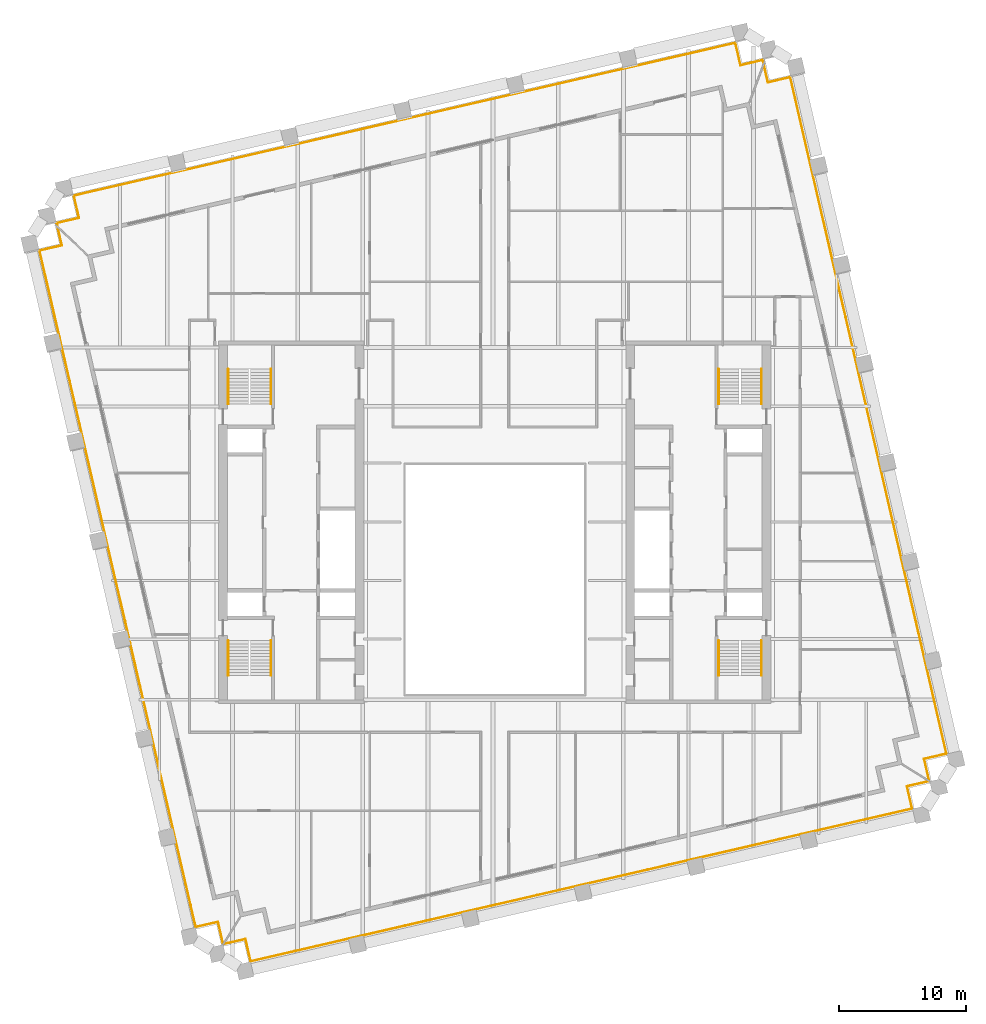
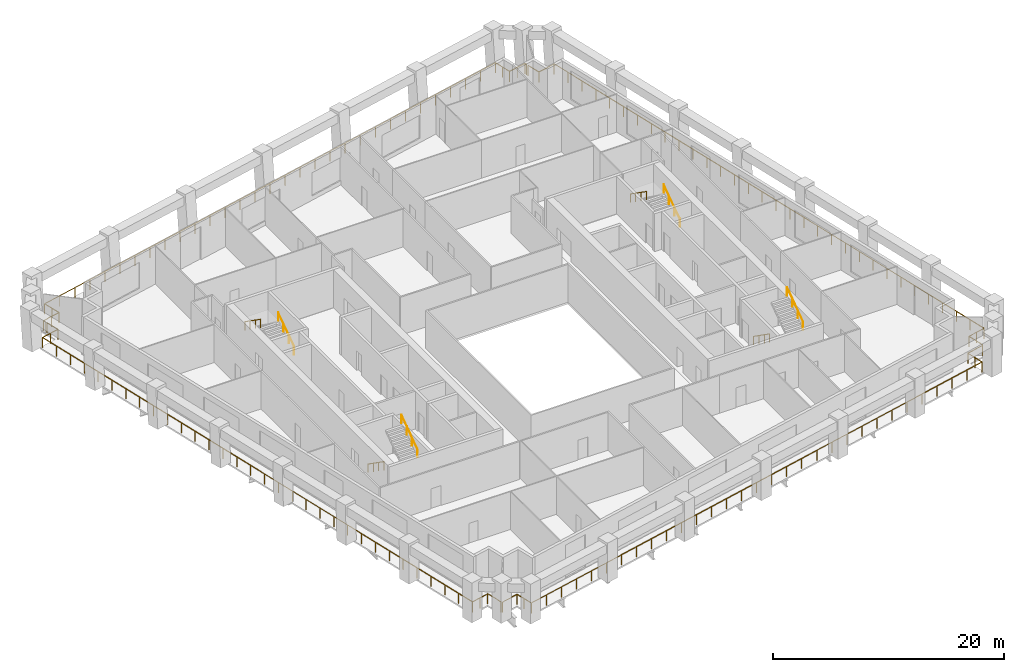
# One storey, part 10 of 10: 12 railings.
"""IFC4 building model written with IfcOpenShell, lengths in metres."""

from ifc_helpers import new_model, si_unit, direction, frame, origin, origin_2d, place, context, subcontext, project, spatial, circle, extrude, material, type_object, element, save


model = new_model("IFC4")

# Units and contexts
model_context = context("Model", 3, precision=1e-05, world=origin(), true_north=direction((0.0, 1.0)))
body_context = subcontext(model_context, "Body", "Model", "MODEL_VIEW")
ifc_project = project(units=[si_unit("LENGTHUNIT", "METRE"), si_unit("AREAUNIT", "SQUARE_METRE"), si_unit("VOLUMEUNIT", "CUBIC_METRE"), si_unit("PLANEANGLEUNIT", "RADIAN"), si_unit("MASSUNIT", "GRAM", prefix="KILO")], contexts=[model_context])

# Site, building, storey
site_placement = place(None, origin())
site = spatial("IfcSite", under=ifc_project, at=site_placement, CompositionType="ELEMENT")
building_placement = place(site_placement, origin())
building = spatial("IfcBuilding", under=site, at=building_placement, Name="Ogive Exchange Tower", CompositionType="ELEMENT")
storey_placement = place(building_placement, frame((0.0, 0.0, 180.0)))
storey = spatial("IfcBuildingStorey", under=building, at=storey_placement, Name="L39", CompositionType="ELEMENT", Elevation=180.0)

# Railings
ifc_material_1 = material(Name="Stainless steel 316", Category="steel")
railing_type_1 = type_object("IfcRailingType", Name="Guard 1100 stainless steel and glass", PredefinedType="GUARDRAIL", material=ifc_material_1)
railing_1_placement = place(storey_placement, frame((34.067138671875, -8.864013671875, -0.050048828125)))
element("IfcRailing", 1, at=railing_1_placement, inside=storey, type_object=railing_type_1, Name="Loggia guard 1", PredefinedType="GUARDRAIL", context=body_context, shape_type="SweptSolid", body=[
    extrude(circle(Radius=0.02392578125, at=origin_2d()), frame((0.0, 0.0, 1.076171875), z_axis=(-0.974364690374, -0.224974332206, 0.0), x_axis=(0.224974332206, -0.974364690374, 0.0)), (0.0, 0.0, 1.0), 1.7080078125),
    extrude(circle(Radius=0.02392578125, at=origin_2d()), frame((-1.664306640625, -0.38427734375, 1.076171875), z_axis=(0.224879318197, -0.974386623598, 0.0), x_axis=(0.974386623598, 0.224879318197, 0.0)), (0.0, 0.0, 1.0), 1.800048828125),
    extrude(circle(Radius=0.02392578125, at=origin_2d()), frame((-1.259521484375, -2.13818359375, 1.076171875), z_axis=(-0.97436998541, -0.224951398156, 0.0), x_axis=(0.224951398156, -0.97436998541, 0.0)), (0.0, 0.0, 1.0), 53.360107421875),
    extrude(circle(Radius=0.02392578125, at=origin_2d()), frame((-53.251953125, -14.1416015625, 1.076171875), z_axis=(-0.224879318197, 0.974386623598, 0.0), x_axis=(-0.974386623598, -0.224879318197, 0.0)), (0.0, 0.0, 1.0), 1.800048828125),
    extrude(circle(Radius=0.02392578125, at=origin_2d()), frame((-53.65673828125, -12.3876953125, 1.076171875), z_axis=(-0.974364690374, -0.224974332206, 0.0), x_axis=(0.224974332206, -0.974364690374, 0.0)), (0.0, 0.0, 1.0), 1.7080078125),
    extrude(circle(Radius=0.02099609375, at=origin_2d()), origin(), (0.0, 0.0, 1.0), 1.052001953125),
    extrude(circle(Radius=0.02099609375, at=origin_2d()), frame((-1.664306640625, -0.38427734375, 0.0)), (0.0, 0.0, 1.0), 1.052001953125),
    extrude(circle(Radius=0.02099609375, at=origin_2d()), frame((-1.4619140625, -1.26123046875, 0.0)), (0.0, 0.0, 1.0), 1.052001953125),
    extrude(circle(Radius=0.02099609375, at=origin_2d()), frame((-1.259521484375, -2.13818359375, 0.0)), (0.0, 0.0, 1.0), 1.052001953125),
    extrude(circle(Radius=0.02099609375, at=origin_2d()), frame((-2.99267578125, -2.538330078125, 0.0)), (0.0, 0.0, 1.0), 1.052001953125),
    extrude(circle(Radius=0.02099609375, at=origin_2d()), frame((-4.7255859375, -2.9384765625, 0.0)), (0.0, 0.0, 1.0), 1.052001953125),
    extrude(circle(Radius=0.02099609375, at=origin_2d()), frame((-6.458740234375, -3.338623046875, 0.0)), (0.0, 0.0, 1.0), 1.052001953125),
    extrude(circle(Radius=0.02099609375, at=origin_2d()), frame((-8.19189453125, -3.738525390625, 0.0)), (0.0, 0.0, 1.0), 1.052001953125),
    extrude(circle(Radius=0.02099609375, at=origin_2d()), frame((-9.9248046875, -4.138671875, 0.0)), (0.0, 0.0, 1.0), 1.052001953125),
    extrude(circle(Radius=0.02099609375, at=origin_2d()), frame((-11.657958984375, -4.538818359375, 0.0)), (0.0, 0.0, 1.0), 1.052001953125),
    extrude(circle(Radius=0.02099609375, at=origin_2d()), frame((-13.39111328125, -4.93896484375, 0.0)), (0.0, 0.0, 1.0), 1.052001953125),
    extrude(circle(Radius=0.02099609375, at=origin_2d()), frame((-15.124267578125, -5.339111328125, 0.0)), (0.0, 0.0, 1.0), 1.052001953125),
    extrude(circle(Radius=0.02099609375, at=origin_2d()), frame((-16.857177734375, -5.7392578125, 0.0)), (0.0, 0.0, 1.0), 1.052001953125),
    extrude(circle(Radius=0.02099609375, at=origin_2d()), frame((-18.59033203125, -6.139404296875, 0.0)), (0.0, 0.0, 1.0), 1.052001953125),
    extrude(circle(Radius=0.02099609375, at=origin_2d()), frame((-20.323486328125, -6.53955078125, 0.0)), (0.0, 0.0, 1.0), 1.052001953125),
    extrude(circle(Radius=0.02099609375, at=origin_2d()), frame((-22.056396484375, -6.939453125, 0.0)), (0.0, 0.0, 1.0), 1.052001953125),
    extrude(circle(Radius=0.02099609375, at=origin_2d()), frame((-23.78955078125, -7.339599609375, 0.0)), (0.0, 0.0, 1.0), 1.052001953125),
    extrude(circle(Radius=0.02099609375, at=origin_2d()), frame((-25.522705078125, -7.73974609375, 0.0)), (0.0, 0.0, 1.0), 1.052001953125),
    extrude(circle(Radius=0.02099609375, at=origin_2d()), frame((-27.255859375, -8.139892578125, 0.0)), (0.0, 0.0, 1.0), 1.052001953125),
    extrude(circle(Radius=0.02099609375, at=origin_2d()), frame((-28.98876953125, -8.5400390625, 0.0)), (0.0, 0.0, 1.0), 1.052001953125),
    extrude(circle(Radius=0.02099609375, at=origin_2d()), frame((-30.721923828125, -8.940185546875, 0.0)), (0.0, 0.0, 1.0), 1.052001953125),
    extrude(circle(Radius=0.02099609375, at=origin_2d()), frame((-32.455078125, -9.34033203125, 0.0)), (0.0, 0.0, 1.0), 1.052001953125),
    extrude(circle(Radius=0.02099609375, at=origin_2d()), frame((-34.18798828125, -9.740234375, 0.0)), (0.0, 0.0, 1.0), 1.052001953125),
    extrude(circle(Radius=0.02099609375, at=origin_2d()), frame((-35.921142578125, -10.140380859375, 0.0)), (0.0, 0.0, 1.0), 1.052001953125),
    extrude(circle(Radius=0.02099609375, at=origin_2d()), frame((-37.654296875, -10.54052734375, 0.0)), (0.0, 0.0, 1.0), 1.052001953125),
    extrude(circle(Radius=0.02099609375, at=origin_2d()), frame((-39.38720703125, -10.940673828125, 0.0)), (0.0, 0.0, 1.0), 1.052001953125),
    extrude(circle(Radius=0.02099609375, at=origin_2d()), frame((-41.120361328125, -11.3408203125, 0.0)), (0.0, 0.0, 1.0), 1.052001953125),
    extrude(circle(Radius=0.02099609375, at=origin_2d()), frame((-42.853515625, -11.740966796875, 0.0)), (0.0, 0.0, 1.0), 1.052001953125),
    extrude(circle(Radius=0.02099609375, at=origin_2d()), frame((-44.58642578125, -12.14111328125, 0.0)), (0.0, 0.0, 1.0), 1.052001953125),
    extrude(circle(Radius=0.02099609375, at=origin_2d()), frame((-46.319580078125, -12.541259765625, 0.0)), (0.0, 0.0, 1.0), 1.052001953125),
    extrude(circle(Radius=0.02099609375, at=origin_2d()), frame((-48.052734375, -12.941162109375, 0.0)), (0.0, 0.0, 1.0), 1.052001953125),
    extrude(circle(Radius=0.02099609375, at=origin_2d()), frame((-49.785888671875, -13.34130859375, 0.0)), (0.0, 0.0, 1.0), 1.052001953125),
    extrude(circle(Radius=0.02099609375, at=origin_2d()), frame((-51.518798828125, -13.741455078125, 0.0)), (0.0, 0.0, 1.0), 1.052001953125),
    extrude(circle(Radius=0.02099609375, at=origin_2d()), frame((-53.251953125, -14.1416015625, 0.0)), (0.0, 0.0, 1.0), 1.052001953125),
    extrude(circle(Radius=0.02099609375, at=origin_2d()), frame((-53.454345703125, -13.2646484375, 0.0)), (0.0, 0.0, 1.0), 1.052001953125),
    extrude(circle(Radius=0.02099609375, at=origin_2d()), frame((-53.65673828125, -12.3876953125, 0.0)), (0.0, 0.0, 1.0), 1.052001953125),
    extrude(circle(Radius=0.02099609375, at=origin_2d()), frame((-55.321044921875, -12.77197265625, 0.0)), (0.0, 0.0, 1.0), 1.052001953125),
])
railing_2_placement = place(storey_placement, frame((-21.364013671875, -21.567138671875, -0.050048828125)))
element("IfcRailing", 2, at=railing_2_placement, inside=storey, type_object=railing_type_1, Name="Loggia guard 2", PredefinedType="GUARDRAIL", context=body_context, shape_type="SweptSolid", body=[
    extrude(circle(Radius=0.02392578125, at=origin_2d()), frame((0.0, 0.0, 1.076171875), z_axis=(-0.224974332206, 0.974364690374, 0.0), x_axis=(-0.974364690374, -0.224974332206, 0.0)), (0.0, 0.0, 1.0), 1.7080078125),
    extrude(circle(Radius=0.02392578125, at=origin_2d()), frame((-0.38427734375, 1.664306640625, 1.076171875), z_axis=(-0.974386623598, -0.224879318197, 0.0), x_axis=(0.224879318197, -0.974386623598, 0.0)), (0.0, 0.0, 1.0), 1.800048828125),
    extrude(circle(Radius=0.02392578125, at=origin_2d()), frame((-2.13818359375, 1.259521484375, 1.076171875), z_axis=(-0.224951974586, 0.97436985233, 0.0), x_axis=(-0.97436985233, -0.224951974586, 0.0)), (0.0, 0.0, 1.0), 54.570068359375),
    extrude(circle(Radius=0.02392578125, at=origin_2d()), frame((-14.413818359375, 54.430908203125, 1.076171875), z_axis=(0.974356896201, 0.225008086135, 0.0), x_axis=(-0.225008086135, 0.974356896201, 0.0)), (0.0, 0.0, 1.0), 1.800048828125),
    extrude(circle(Radius=0.02392578125, at=origin_2d()), frame((-12.659912109375, 54.8359375, 1.076171875), z_axis=(-0.224924589703, 0.974376174251, 0.0), x_axis=(-0.974376174251, -0.224924589703, 0.0)), (0.0, 0.0, 1.0), 1.369873046875),
    extrude(circle(Radius=0.02099609375, at=origin_2d()), origin(), (0.0, 0.0, 1.0), 1.052001953125),
    extrude(circle(Radius=0.02099609375, at=origin_2d()), frame((-0.38427734375, 1.664306640625, 0.0)), (0.0, 0.0, 1.0), 1.052001953125),
    extrude(circle(Radius=0.02099609375, at=origin_2d()), frame((-1.26123046875, 1.4619140625, 0.0)), (0.0, 0.0, 1.0), 1.052001953125),
    extrude(circle(Radius=0.02099609375, at=origin_2d()), frame((-2.13818359375, 1.259521484375, 0.0)), (0.0, 0.0, 1.0), 1.052001953125),
    extrude(circle(Radius=0.02099609375, at=origin_2d()), frame((-2.5341796875, 2.974609375, 0.0)), (0.0, 0.0, 1.0), 1.052001953125),
    extrude(circle(Radius=0.02099609375, at=origin_2d()), frame((-2.93017578125, 4.68994140625, 0.0)), (0.0, 0.0, 1.0), 1.052001953125),
    extrude(circle(Radius=0.02099609375, at=origin_2d()), frame((-3.326171875, 6.405029296875, 0.0)), (0.0, 0.0, 1.0), 1.052001953125),
    extrude(circle(Radius=0.02099609375, at=origin_2d()), frame((-3.72216796875, 8.120361328125, 0.0)), (0.0, 0.0, 1.0), 1.052001953125),
    extrude(circle(Radius=0.02099609375, at=origin_2d()), frame((-4.1181640625, 9.83544921875, 0.0)), (0.0, 0.0, 1.0), 1.052001953125),
    extrude(circle(Radius=0.02099609375, at=origin_2d()), frame((-4.51416015625, 11.55078125, 0.0)), (0.0, 0.0, 1.0), 1.052001953125),
    extrude(circle(Radius=0.02099609375, at=origin_2d()), frame((-4.91015625, 13.265869140625, 0.0)), (0.0, 0.0, 1.0), 1.052001953125),
    extrude(circle(Radius=0.02099609375, at=origin_2d()), frame((-5.30615234375, 14.981201171875, 0.0)), (0.0, 0.0, 1.0), 1.052001953125),
    extrude(circle(Radius=0.02099609375, at=origin_2d()), frame((-5.7021484375, 16.6962890625, 0.0)), (0.0, 0.0, 1.0), 1.052001953125),
    extrude(circle(Radius=0.02099609375, at=origin_2d()), frame((-6.09814453125, 18.41162109375, 0.0)), (0.0, 0.0, 1.0), 1.052001953125),
    extrude(circle(Radius=0.02099609375, at=origin_2d()), frame((-6.494140625, 20.126708984375, 0.0)), (0.0, 0.0, 1.0), 1.052001953125),
    extrude(circle(Radius=0.02099609375, at=origin_2d()), frame((-6.89013671875, 21.842041015625, 0.0)), (0.0, 0.0, 1.0), 1.052001953125),
    extrude(circle(Radius=0.02099609375, at=origin_2d()), frame((-7.2861328125, 23.55712890625, 0.0)), (0.0, 0.0, 1.0), 1.052001953125),
    extrude(circle(Radius=0.02099609375, at=origin_2d()), frame((-7.68212890625, 25.2724609375, 0.0)), (0.0, 0.0, 1.0), 1.052001953125),
    extrude(circle(Radius=0.02099609375, at=origin_2d()), frame((-8.078125, 26.987548828125, 0.0)), (0.0, 0.0, 1.0), 1.052001953125),
    extrude(circle(Radius=0.02099609375, at=origin_2d()), frame((-8.473876953125, 28.702880859375, 0.0)), (0.0, 0.0, 1.0), 1.052001953125),
    extrude(circle(Radius=0.02099609375, at=origin_2d()), frame((-8.869873046875, 30.41796875, 0.0)), (0.0, 0.0, 1.0), 1.052001953125),
    extrude(circle(Radius=0.02099609375, at=origin_2d()), frame((-9.265869140625, 32.13330078125, 0.0)), (0.0, 0.0, 1.0), 1.052001953125),
    extrude(circle(Radius=0.02099609375, at=origin_2d()), frame((-9.661865234375, 33.848388671875, 0.0)), (0.0, 0.0, 1.0), 1.052001953125),
    extrude(circle(Radius=0.02099609375, at=origin_2d()), frame((-10.057861328125, 35.563720703125, 0.0)), (0.0, 0.0, 1.0), 1.052001953125),
    extrude(circle(Radius=0.02099609375, at=origin_2d()), frame((-10.453857421875, 37.27880859375, 0.0)), (0.0, 0.0, 1.0), 1.052001953125),
    extrude(circle(Radius=0.02099609375, at=origin_2d()), frame((-10.849853515625, 38.994140625, 0.0)), (0.0, 0.0, 1.0), 1.052001953125),
    extrude(circle(Radius=0.02099609375, at=origin_2d()), frame((-11.245849609375, 40.709228515625, 0.0)), (0.0, 0.0, 1.0), 1.052001953125),
    extrude(circle(Radius=0.02099609375, at=origin_2d()), frame((-11.641845703125, 42.424560546875, 0.0)), (0.0, 0.0, 1.0), 1.052001953125),
    extrude(circle(Radius=0.02099609375, at=origin_2d()), frame((-12.037841796875, 44.1396484375, 0.0)), (0.0, 0.0, 1.0), 1.052001953125),
    extrude(circle(Radius=0.02099609375, at=origin_2d()), frame((-12.433837890625, 45.85498046875, 0.0)), (0.0, 0.0, 1.0), 1.052001953125),
    extrude(circle(Radius=0.02099609375, at=origin_2d()), frame((-12.829833984375, 47.570068359375, 0.0)), (0.0, 0.0, 1.0), 1.052001953125),
    extrude(circle(Radius=0.02099609375, at=origin_2d()), frame((-13.225830078125, 49.285400390625, 0.0)), (0.0, 0.0, 1.0), 1.052001953125),
    extrude(circle(Radius=0.02099609375, at=origin_2d()), frame((-13.621826171875, 51.00048828125, 0.0)), (0.0, 0.0, 1.0), 1.052001953125),
    extrude(circle(Radius=0.02099609375, at=origin_2d()), frame((-14.017822265625, 52.7158203125, 0.0)), (0.0, 0.0, 1.0), 1.052001953125),
    extrude(circle(Radius=0.02099609375, at=origin_2d()), frame((-14.413818359375, 54.430908203125, 0.0)), (0.0, 0.0, 1.0), 1.052001953125),
    extrude(circle(Radius=0.02099609375, at=origin_2d()), frame((-13.536865234375, 54.63330078125, 0.0)), (0.0, 0.0, 1.0), 1.052001953125),
    extrude(circle(Radius=0.02099609375, at=origin_2d()), frame((-12.659912109375, 54.8359375, 0.0)), (0.0, 0.0, 1.0), 1.052001953125),
    extrude(circle(Radius=0.02099609375, at=origin_2d()), frame((-12.968017578125, 56.170654296875, 0.0)), (0.0, 0.0, 1.0), 1.052001953125),
])
railing_3_placement = place(storey_placement, frame((-34.385009765625, 34.832275390625, -0.050048828125)))
element("IfcRailing", 3, at=railing_3_placement, inside=storey, type_object=railing_type_1, Name="Loggia guard 3", PredefinedType="GUARDRAIL", context=body_context, shape_type="SweptSolid", body=[
    extrude(circle(Radius=0.02392578125, at=origin_2d()), frame((0.0, 0.0, 1.076171875), z_axis=(-0.225133536755, 0.974327917402, 0.0), x_axis=(-0.974327917402, -0.225133536755, 0.0)), (0.0, 0.0, 1.0), 0.1953125),
    extrude(circle(Radius=0.02392578125, at=origin_2d()), frame((-0.0439453125, 0.190185546875, 1.076171875), z_axis=(0.974356896201, 0.225008086135, 0.0), x_axis=(-0.225008086135, 0.974356896201, 0.0)), (0.0, 0.0, 1.0), 1.800048828125),
    extrude(circle(Radius=0.02392578125, at=origin_2d()), frame((1.7099609375, 0.59521484375, 1.076171875), z_axis=(-0.224879318197, 0.974386623598, 0.0), x_axis=(-0.974386623598, -0.224879318197, 0.0)), (0.0, 0.0, 1.0), 1.800048828125),
    extrude(circle(Radius=0.02392578125, at=origin_2d()), frame((1.30517578125, 2.34912109375, 1.076171875), z_axis=(0.97436998541, 0.224951398156, 0.0), x_axis=(-0.224951398156, 0.97436998541, 0.0)), (0.0, 0.0, 1.0), 53.360107421875),
    extrude(circle(Radius=0.02392578125, at=origin_2d()), frame((53.297607421875, 14.3525390625, 1.076171875), z_axis=(0.224879318197, -0.974386623598, 0.0), x_axis=(0.974386623598, 0.224879318197, 0.0)), (0.0, 0.0, 1.0), 1.800048828125),
    extrude(circle(Radius=0.02392578125, at=origin_2d()), frame((53.702392578125, 12.5986328125, 1.076171875), z_axis=(0.974386623598, 0.224879318197, 0.0), x_axis=(-0.224879318197, 0.974386623598, 0.0)), (0.0, 0.0, 1.0), 1.800048828125),
    extrude(circle(Radius=0.02392578125, at=origin_2d()), frame((55.456298828125, 13.00341796875, 1.076171875), z_axis=(0.225133536755, -0.974327917402, 0.0), x_axis=(0.974327917402, 0.225133536755, 0.0)), (0.0, 0.0, 1.0), 0.1953125),
    extrude(circle(Radius=0.02099609375, at=origin_2d()), origin(), (0.0, 0.0, 1.0), 1.052001953125),
    extrude(circle(Radius=0.02099609375, at=origin_2d()), frame((-0.0439453125, 0.190185546875, 0.0)), (0.0, 0.0, 1.0), 1.052001953125),
    extrude(circle(Radius=0.02099609375, at=origin_2d()), frame((0.8330078125, 0.392578125, 0.0)), (0.0, 0.0, 1.0), 1.052001953125),
    extrude(circle(Radius=0.02099609375, at=origin_2d()), frame((1.7099609375, 0.59521484375, 0.0)), (0.0, 0.0, 1.0), 1.052001953125),
    extrude(circle(Radius=0.02099609375, at=origin_2d()), frame((1.507568359375, 1.47216796875, 0.0)), (0.0, 0.0, 1.0), 1.052001953125),
    extrude(circle(Radius=0.02099609375, at=origin_2d()), frame((1.30517578125, 2.34912109375, 0.0)), (0.0, 0.0, 1.0), 1.052001953125),
    extrude(circle(Radius=0.02099609375, at=origin_2d()), frame((3.038330078125, 2.749267578125, 0.0)), (0.0, 0.0, 1.0), 1.052001953125),
    extrude(circle(Radius=0.02099609375, at=origin_2d()), frame((4.771240234375, 3.1494140625, 0.0)), (0.0, 0.0, 1.0), 1.052001953125),
    extrude(circle(Radius=0.02099609375, at=origin_2d()), frame((6.50439453125, 3.549560546875, 0.0)), (0.0, 0.0, 1.0), 1.052001953125),
    extrude(circle(Radius=0.02099609375, at=origin_2d()), frame((8.237548828125, 3.949462890625, 0.0)), (0.0, 0.0, 1.0), 1.052001953125),
    extrude(circle(Radius=0.02099609375, at=origin_2d()), frame((9.970703125, 4.349609375, 0.0)), (0.0, 0.0, 1.0), 1.052001953125),
    extrude(circle(Radius=0.02099609375, at=origin_2d()), frame((11.70361328125, 4.749755859375, 0.0)), (0.0, 0.0, 1.0), 1.052001953125),
    extrude(circle(Radius=0.02099609375, at=origin_2d()), frame((13.436767578125, 5.14990234375, 0.0)), (0.0, 0.0, 1.0), 1.052001953125),
    extrude(circle(Radius=0.02099609375, at=origin_2d()), frame((15.169921875, 5.550048828125, 0.0)), (0.0, 0.0, 1.0), 1.052001953125),
    extrude(circle(Radius=0.02099609375, at=origin_2d()), frame((16.90283203125, 5.9501953125, 0.0)), (0.0, 0.0, 1.0), 1.052001953125),
    extrude(circle(Radius=0.02099609375, at=origin_2d()), frame((18.635986328125, 6.350341796875, 0.0)), (0.0, 0.0, 1.0), 1.052001953125),
    extrude(circle(Radius=0.02099609375, at=origin_2d()), frame((20.369140625, 6.75048828125, 0.0)), (0.0, 0.0, 1.0), 1.052001953125),
    extrude(circle(Radius=0.02099609375, at=origin_2d()), frame((22.10205078125, 7.150390625, 0.0)), (0.0, 0.0, 1.0), 1.052001953125),
    extrude(circle(Radius=0.02099609375, at=origin_2d()), frame((23.835205078125, 7.550537109375, 0.0)), (0.0, 0.0, 1.0), 1.052001953125),
    extrude(circle(Radius=0.02099609375, at=origin_2d()), frame((25.568359375, 7.95068359375, 0.0)), (0.0, 0.0, 1.0), 1.052001953125),
    extrude(circle(Radius=0.02099609375, at=origin_2d()), frame((27.30126953125, 8.350830078125, 0.0)), (0.0, 0.0, 1.0), 1.052001953125),
    extrude(circle(Radius=0.02099609375, at=origin_2d()), frame((29.034423828125, 8.7509765625, 0.0)), (0.0, 0.0, 1.0), 1.052001953125),
    extrude(circle(Radius=0.02099609375, at=origin_2d()), frame((30.767578125, 9.151123046875, 0.0)), (0.0, 0.0, 1.0), 1.052001953125),
    extrude(circle(Radius=0.02099609375, at=origin_2d()), frame((32.500732421875, 9.55126953125, 0.0)), (0.0, 0.0, 1.0), 1.052001953125),
    extrude(circle(Radius=0.02099609375, at=origin_2d()), frame((34.233642578125, 9.951171875, 0.0)), (0.0, 0.0, 1.0), 1.052001953125),
    extrude(circle(Radius=0.02099609375, at=origin_2d()), frame((35.966796875, 10.351318359375, 0.0)), (0.0, 0.0, 1.0), 1.052001953125),
    extrude(circle(Radius=0.02099609375, at=origin_2d()), frame((37.699951171875, 10.75146484375, 0.0)), (0.0, 0.0, 1.0), 1.052001953125),
    extrude(circle(Radius=0.02099609375, at=origin_2d()), frame((39.432861328125, 11.151611328125, 0.0)), (0.0, 0.0, 1.0), 1.052001953125),
    extrude(circle(Radius=0.02099609375, at=origin_2d()), frame((41.166015625, 11.5517578125, 0.0)), (0.0, 0.0, 1.0), 1.052001953125),
    extrude(circle(Radius=0.02099609375, at=origin_2d()), frame((42.899169921875, 11.951904296875, 0.0)), (0.0, 0.0, 1.0), 1.052001953125),
    extrude(circle(Radius=0.02099609375, at=origin_2d()), frame((44.63232421875, 12.35205078125, 0.0)), (0.0, 0.0, 1.0), 1.052001953125),
    extrude(circle(Radius=0.02099609375, at=origin_2d()), frame((46.365234375, 12.752197265625, 0.0)), (0.0, 0.0, 1.0), 1.052001953125),
    extrude(circle(Radius=0.02099609375, at=origin_2d()), frame((48.098388671875, 13.152099609375, 0.0)), (0.0, 0.0, 1.0), 1.052001953125),
    extrude(circle(Radius=0.02099609375, at=origin_2d()), frame((49.83154296875, 13.55224609375, 0.0)), (0.0, 0.0, 1.0), 1.052001953125),
    extrude(circle(Radius=0.02099609375, at=origin_2d()), frame((51.564453125, 13.952392578125, 0.0)), (0.0, 0.0, 1.0), 1.052001953125),
    extrude(circle(Radius=0.02099609375, at=origin_2d()), frame((53.297607421875, 14.3525390625, 0.0)), (0.0, 0.0, 1.0), 1.052001953125),
    extrude(circle(Radius=0.02099609375, at=origin_2d()), frame((53.5, 13.4755859375, 0.0)), (0.0, 0.0, 1.0), 1.052001953125),
    extrude(circle(Radius=0.02099609375, at=origin_2d()), frame((53.702392578125, 12.5986328125, 0.0)), (0.0, 0.0, 1.0), 1.052001953125),
    extrude(circle(Radius=0.02099609375, at=origin_2d()), frame((54.579345703125, 12.801025390625, 0.0)), (0.0, 0.0, 1.0), 1.052001953125),
    extrude(circle(Radius=0.02099609375, at=origin_2d()), frame((55.456298828125, 13.00341796875, 0.0)), (0.0, 0.0, 1.0), 1.052001953125),
    extrude(circle(Radius=0.02099609375, at=origin_2d()), frame((55.500244140625, 12.813232421875, 0.0)), (0.0, 0.0, 1.0), 1.052001953125),
])
railing_4_placement = place(storey_placement, frame((21.16796875, 47.416748046875, -0.050048828125)))
element("IfcRailing", 4, at=railing_4_placement, inside=storey, type_object=railing_type_1, Name="Loggia guard 4", PredefinedType="GUARDRAIL", context=body_context, shape_type="SweptSolid", body=[
    extrude(circle(Radius=0.02392578125, at=origin_2d()), frame((0.0, 0.0, 1.076171875), z_axis=(0.225054710975, -0.974346127959, 0.0), x_axis=(0.974346127959, 0.225054710975, 0.0)), (0.0, 0.0, 1.0), 1.3701171875),
    extrude(circle(Radius=0.02392578125, at=origin_2d()), frame((0.308349609375, -1.3349609375, 1.076171875), z_axis=(0.974350028141, 0.22503782496, 0.0), x_axis=(-0.22503782496, 0.974350028141, 0.0)), (0.0, 0.0, 1.0), 1.7998046875),
    extrude(circle(Radius=0.02392578125, at=origin_2d()), frame((2.06201171875, -0.929931640625, 1.076171875), z_axis=(0.224950993973, -0.974370078723, 0.0), x_axis=(0.974370078723, 0.224950993973, 0.0)), (0.0, 0.0, 1.0), 54.5703125),
    extrude(circle(Radius=0.02392578125, at=origin_2d()), frame((14.337646484375, -54.1015625, 1.076171875), z_axis=(-0.974386623598, -0.224879318197, 0.0), x_axis=(0.224879318197, -0.974386623598, 0.0)), (0.0, 0.0, 1.0), 1.800048828125),
    extrude(circle(Radius=0.02392578125, at=origin_2d()), frame((12.583740234375, -54.50634765625, 1.076171875), z_axis=(0.224974332206, -0.974364690374, 0.0), x_axis=(0.974364690374, 0.224974332206, 0.0)), (0.0, 0.0, 1.0), 1.7080078125),
    extrude(circle(Radius=0.02099609375, at=origin_2d()), origin(), (0.0, 0.0, 1.0), 1.052001953125),
    extrude(circle(Radius=0.02099609375, at=origin_2d()), frame((0.308349609375, -1.3349609375, 0.0)), (0.0, 0.0, 1.0), 1.052001953125),
    extrude(circle(Radius=0.02099609375, at=origin_2d()), frame((2.06201171875, -0.929931640625, 0.0)), (0.0, 0.0, 1.0), 1.052001953125),
    extrude(circle(Radius=0.02099609375, at=origin_2d()), frame((2.4580078125, -2.645263671875, 0.0)), (0.0, 0.0, 1.0), 1.052001953125),
    extrude(circle(Radius=0.02099609375, at=origin_2d()), frame((2.85400390625, -4.3603515625, 0.0)), (0.0, 0.0, 1.0), 1.052001953125),
    extrude(circle(Radius=0.02099609375, at=origin_2d()), frame((3.25, -6.07568359375, 0.0)), (0.0, 0.0, 1.0), 1.052001953125),
    extrude(circle(Radius=0.02099609375, at=origin_2d()), frame((3.64599609375, -7.790771484375, 0.0)), (0.0, 0.0, 1.0), 1.052001953125),
    extrude(circle(Radius=0.02099609375, at=origin_2d()), frame((4.0419921875, -9.506103515625, 0.0)), (0.0, 0.0, 1.0), 1.052001953125),
    extrude(circle(Radius=0.02099609375, at=origin_2d()), frame((4.43798828125, -11.22119140625, 0.0)), (0.0, 0.0, 1.0), 1.052001953125),
    extrude(circle(Radius=0.02099609375, at=origin_2d()), frame((4.833984375, -12.9365234375, 0.0)), (0.0, 0.0, 1.0), 1.052001953125),
    extrude(circle(Radius=0.02099609375, at=origin_2d()), frame((5.22998046875, -14.651611328125, 0.0)), (0.0, 0.0, 1.0), 1.052001953125),
    extrude(circle(Radius=0.02099609375, at=origin_2d()), frame((5.6259765625, -16.366943359375, 0.0)), (0.0, 0.0, 1.0), 1.052001953125),
    extrude(circle(Radius=0.02099609375, at=origin_2d()), frame((6.02197265625, -18.08203125, 0.0)), (0.0, 0.0, 1.0), 1.052001953125),
    extrude(circle(Radius=0.02099609375, at=origin_2d()), frame((6.41796875, -19.79736328125, 0.0)), (0.0, 0.0, 1.0), 1.052001953125),
    extrude(circle(Radius=0.02099609375, at=origin_2d()), frame((6.81396484375, -21.512451171875, 0.0)), (0.0, 0.0, 1.0), 1.052001953125),
    extrude(circle(Radius=0.02099609375, at=origin_2d()), frame((7.2099609375, -23.227783203125, 0.0)), (0.0, 0.0, 1.0), 1.052001953125),
    extrude(circle(Radius=0.02099609375, at=origin_2d()), frame((7.60595703125, -24.94287109375, 0.0)), (0.0, 0.0, 1.0), 1.052001953125),
    extrude(circle(Radius=0.02099609375, at=origin_2d()), frame((8.001953125, -26.658203125, 0.0)), (0.0, 0.0, 1.0), 1.052001953125),
    extrude(circle(Radius=0.02099609375, at=origin_2d()), frame((8.397705078125, -28.373291015625, 0.0)), (0.0, 0.0, 1.0), 1.052001953125),
    extrude(circle(Radius=0.02099609375, at=origin_2d()), frame((8.793701171875, -30.088623046875, 0.0)), (0.0, 0.0, 1.0), 1.052001953125),
    extrude(circle(Radius=0.02099609375, at=origin_2d()), frame((9.189697265625, -31.8037109375, 0.0)), (0.0, 0.0, 1.0), 1.052001953125),
    extrude(circle(Radius=0.02099609375, at=origin_2d()), frame((9.585693359375, -33.51904296875, 0.0)), (0.0, 0.0, 1.0), 1.052001953125),
    extrude(circle(Radius=0.02099609375, at=origin_2d()), frame((9.981689453125, -35.234130859375, 0.0)), (0.0, 0.0, 1.0), 1.052001953125),
    extrude(circle(Radius=0.02099609375, at=origin_2d()), frame((10.377685546875, -36.949462890625, 0.0)), (0.0, 0.0, 1.0), 1.052001953125),
    extrude(circle(Radius=0.02099609375, at=origin_2d()), frame((10.773681640625, -38.66455078125, 0.0)), (0.0, 0.0, 1.0), 1.052001953125),
    extrude(circle(Radius=0.02099609375, at=origin_2d()), frame((11.169677734375, -40.3798828125, 0.0)), (0.0, 0.0, 1.0), 1.052001953125),
    extrude(circle(Radius=0.02099609375, at=origin_2d()), frame((11.565673828125, -42.094970703125, 0.0)), (0.0, 0.0, 1.0), 1.052001953125),
    extrude(circle(Radius=0.02099609375, at=origin_2d()), frame((11.961669921875, -43.810302734375, 0.0)), (0.0, 0.0, 1.0), 1.052001953125),
    extrude(circle(Radius=0.02099609375, at=origin_2d()), frame((12.357666015625, -45.525390625, 0.0)), (0.0, 0.0, 1.0), 1.052001953125),
    extrude(circle(Radius=0.02099609375, at=origin_2d()), frame((12.753662109375, -47.24072265625, 0.0)), (0.0, 0.0, 1.0), 1.052001953125),
    extrude(circle(Radius=0.02099609375, at=origin_2d()), frame((13.149658203125, -48.955810546875, 0.0)), (0.0, 0.0, 1.0), 1.052001953125),
    extrude(circle(Radius=0.02099609375, at=origin_2d()), frame((13.545654296875, -50.671142578125, 0.0)), (0.0, 0.0, 1.0), 1.052001953125),
    extrude(circle(Radius=0.02099609375, at=origin_2d()), frame((13.941650390625, -52.38623046875, 0.0)), (0.0, 0.0, 1.0), 1.052001953125),
    extrude(circle(Radius=0.02099609375, at=origin_2d()), frame((14.337646484375, -54.1015625, 0.0)), (0.0, 0.0, 1.0), 1.052001953125),
    extrude(circle(Radius=0.02099609375, at=origin_2d()), frame((13.460693359375, -54.303955078125, 0.0)), (0.0, 0.0, 1.0), 1.052001953125),
    extrude(circle(Radius=0.02099609375, at=origin_2d()), frame((12.583740234375, -54.50634765625, 0.0)), (0.0, 0.0, 1.0), 1.052001953125),
    extrude(circle(Radius=0.02099609375, at=origin_2d()), frame((12.968017578125, -56.170654296875, 0.0)), (0.0, 0.0, 1.0), 1.052001953125),
])
ifc_material_2 = material(Name="Stainless steel", Category="steel")
railing_type_2 = type_object("IfcRailingType", Name="Stair handrail 900", PredefinedType="HANDRAIL", material=ifc_material_2)
railing_5_placement = place(storey_placement, frame((-20.949951171875, 2.199951171875, 0.175048828125)))
element("IfcRailing", 5, at=railing_5_placement, inside=storey, type_object=railing_type_2, Name="L39 ST1 stair handrail 1", PredefinedType="HANDRAIL", context=body_context, shape_type="SweptSolid", body=[
    extrude(circle(Radius=0.02392578125, at=origin_2d()), frame((0.0, 0.0, 0.8759765625), z_axis=(0.0, -0.819225086817, 0.573472106672), x_axis=(1.0, 0.0, 0.0)), (0.0, 0.0, 1.0), 3.35693359375),
    extrude(circle(Radius=0.02099609375, at=origin_2d()), origin(), (0.0, 0.0, 1.0), 0.851806640625),
    extrude(circle(Radius=0.02099609375, at=origin_2d()), frame((0.0, -0.916748046875, 0.6416015625)), (0.0, 0.0, 1.0), 0.851806640625),
    extrude(circle(Radius=0.02099609375, at=origin_2d()), frame((0.0, -1.833251953125, 1.283447265625)), (0.0, 0.0, 1.0), 0.851806640625),
    extrude(circle(Radius=0.02099609375, at=origin_2d()), frame((0.0, -2.75, 1.925048828125)), (0.0, 0.0, 1.0), 0.851806640625),
])
for number, where, name in (
    (6, (-17.60009765625, -0.550048828125, 2.27490234375), "L39 ST1 stair handrail 2"),
    (7, (-17.60009765625, 20.800048828125, 0.175048828125), "L39 ST2 stair handrail 1"),
):
    element("IfcRailing", number, at=place(storey_placement, frame(where)), inside=storey, type_object=railing_type_2, Name=name, PredefinedType="HANDRAIL", context=body_context, shape_type="SweptSolid", body=[
        extrude(circle(Radius=0.02392578125, at=origin_2d()), frame((0.0, 0.0, 0.8759765625), z_axis=(0.0, 0.819225086817, 0.573472106672), x_axis=(-1.0, 0.0, 0.0)), (0.0, 0.0, 1.0), 3.35693359375),
        extrude(circle(Radius=0.02099609375, at=origin_2d()), origin(), (0.0, 0.0, 1.0), 0.851806640625),
        extrude(circle(Radius=0.02099609375, at=origin_2d()), frame((0.0, 0.916748046875, 0.6416015625)), (0.0, 0.0, 1.0), 0.851806640625),
        extrude(circle(Radius=0.02099609375, at=origin_2d()), frame((0.0, 1.833251953125, 1.283447265625)), (0.0, 0.0, 1.0), 0.851806640625),
        extrude(circle(Radius=0.02099609375, at=origin_2d()), frame((0.0, 2.75, 1.925048828125)), (0.0, 0.0, 1.0), 0.851806640625),
    ])
for number, where, name in (
    (8, (-20.949951171875, 23.550048828125, 2.27490234375), "L39 ST2 stair handrail 2"),
    (9, (17.60009765625, 2.199951171875, 0.175048828125), "L39 ST3 stair handrail 1"),
):
    element("IfcRailing", number, at=place(storey_placement, frame(where)), inside=storey, type_object=railing_type_2, Name=name, PredefinedType="HANDRAIL", context=body_context, shape_type="SweptSolid", body=[
        extrude(circle(Radius=0.02392578125, at=origin_2d()), frame((0.0, 0.0, 0.8759765625), z_axis=(0.0, -0.819225086817, 0.573472106672), x_axis=(1.0, 0.0, 0.0)), (0.0, 0.0, 1.0), 3.35693359375),
        extrude(circle(Radius=0.02099609375, at=origin_2d()), origin(), (0.0, 0.0, 1.0), 0.851806640625),
        extrude(circle(Radius=0.02099609375, at=origin_2d()), frame((0.0, -0.916748046875, 0.6416015625)), (0.0, 0.0, 1.0), 0.851806640625),
        extrude(circle(Radius=0.02099609375, at=origin_2d()), frame((0.0, -1.833251953125, 1.283447265625)), (0.0, 0.0, 1.0), 0.851806640625),
        extrude(circle(Radius=0.02099609375, at=origin_2d()), frame((0.0, -2.75, 1.925048828125)), (0.0, 0.0, 1.0), 0.851806640625),
    ])
for number, where, name in (
    (10, (20.949951171875, -0.550048828125, 2.27490234375), "L39 ST3 stair handrail 2"),
    (11, (20.949951171875, 20.800048828125, 0.175048828125), "L39 ST4 stair handrail 1"),
):
    element("IfcRailing", number, at=place(storey_placement, frame(where)), inside=storey, type_object=railing_type_2, Name=name, PredefinedType="HANDRAIL", context=body_context, shape_type="SweptSolid", body=[
        extrude(circle(Radius=0.02392578125, at=origin_2d()), frame((0.0, 0.0, 0.8759765625), z_axis=(0.0, 0.819225086817, 0.573472106672), x_axis=(-1.0, 0.0, 0.0)), (0.0, 0.0, 1.0), 3.35693359375),
        extrude(circle(Radius=0.02099609375, at=origin_2d()), origin(), (0.0, 0.0, 1.0), 0.851806640625),
        extrude(circle(Radius=0.02099609375, at=origin_2d()), frame((0.0, 0.916748046875, 0.6416015625)), (0.0, 0.0, 1.0), 0.851806640625),
        extrude(circle(Radius=0.02099609375, at=origin_2d()), frame((0.0, 1.833251953125, 1.283447265625)), (0.0, 0.0, 1.0), 0.851806640625),
        extrude(circle(Radius=0.02099609375, at=origin_2d()), frame((0.0, 2.75, 1.925048828125)), (0.0, 0.0, 1.0), 0.851806640625),
    ])
railing_6_placement = place(storey_placement, frame((17.60009765625, 23.550048828125, 2.27490234375)))
element("IfcRailing", 12, at=railing_6_placement, inside=storey, type_object=railing_type_2, Name="L39 ST4 stair handrail 2", PredefinedType="HANDRAIL", context=body_context, shape_type="SweptSolid", body=[
    extrude(circle(Radius=0.02392578125, at=origin_2d()), frame((0.0, 0.0, 0.8759765625), z_axis=(0.0, -0.819225086817, 0.573472106672), x_axis=(1.0, 0.0, 0.0)), (0.0, 0.0, 1.0), 3.35693359375),
    extrude(circle(Radius=0.02099609375, at=origin_2d()), origin(), (0.0, 0.0, 1.0), 0.851806640625),
    extrude(circle(Radius=0.02099609375, at=origin_2d()), frame((0.0, -0.916748046875, 0.6416015625)), (0.0, 0.0, 1.0), 0.851806640625),
    extrude(circle(Radius=0.02099609375, at=origin_2d()), frame((0.0, -1.833251953125, 1.283447265625)), (0.0, 0.0, 1.0), 0.851806640625),
    extrude(circle(Radius=0.02099609375, at=origin_2d()), frame((0.0, -2.75, 1.925048828125)), (0.0, 0.0, 1.0), 0.851806640625),
])

save(model, "model.ifc")
